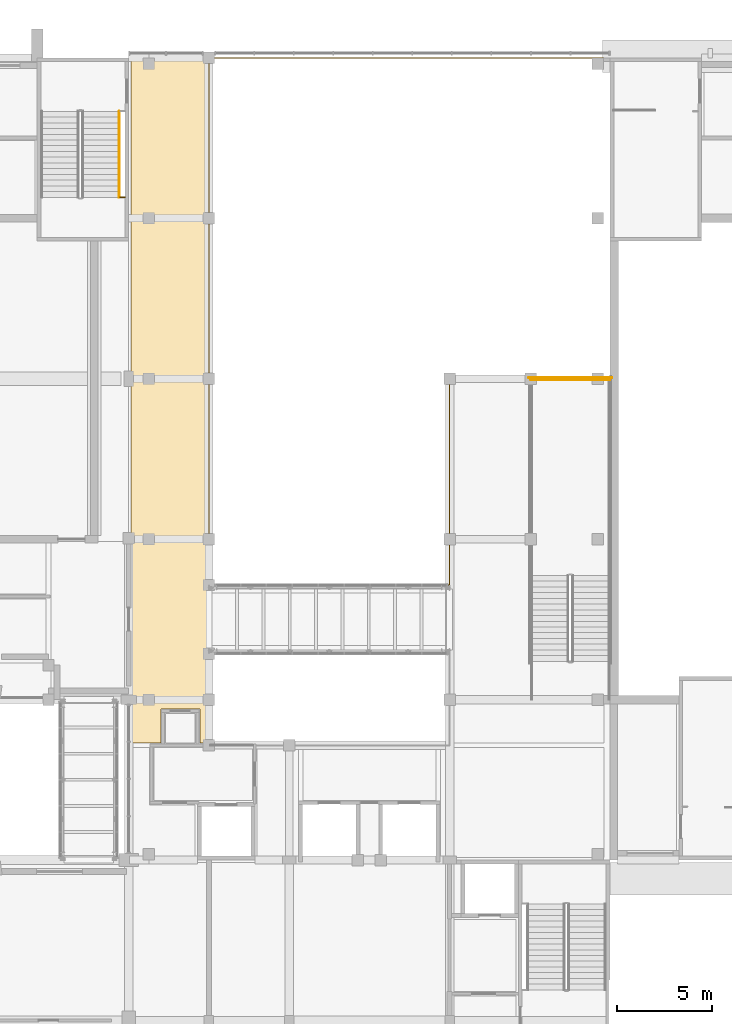
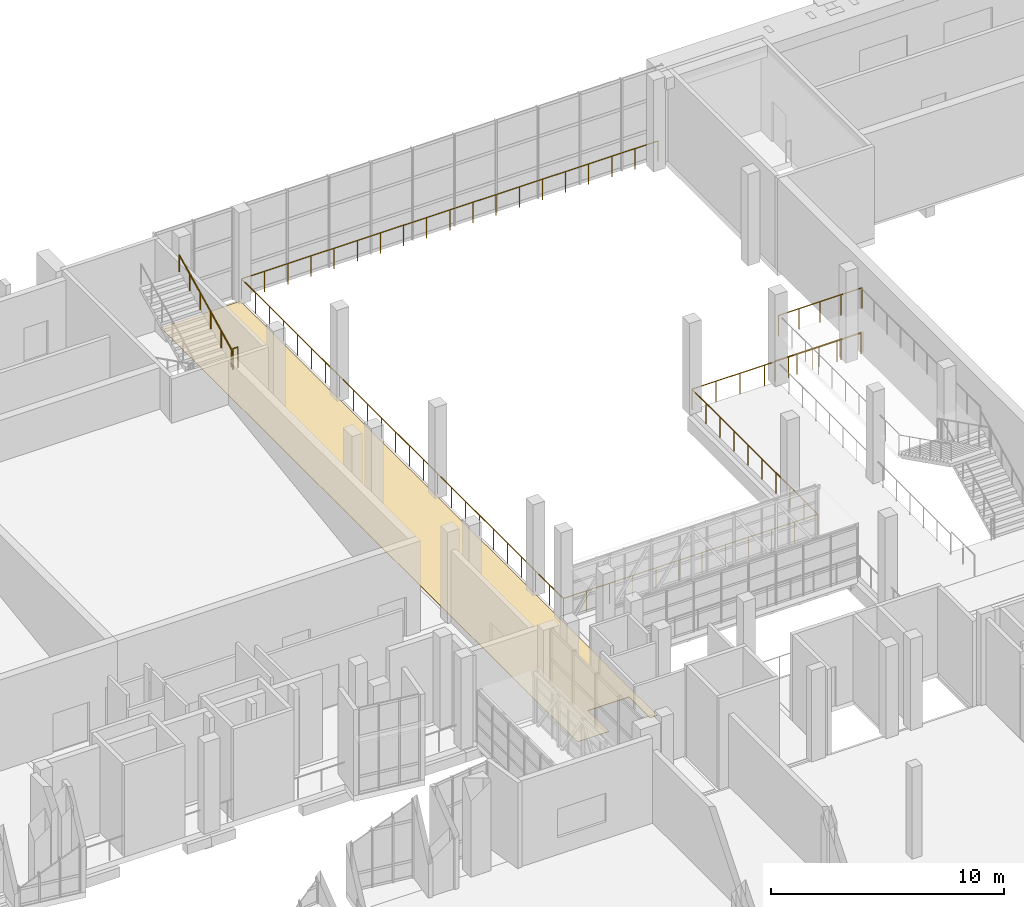
# One storey, part 75 of 86: 5 railings, 1 covering.
"""IFC4 building model written with IfcOpenShell, lengths in metres."""

from ifc_helpers import new_model, si_unit, direction, frame, origin, origin_2d, place, context, subcontext, project, spatial, polyline, circle, outline, extrude, material, layer, layer_set, type_object, element, save


model = new_model("IFC4")

# Units and contexts
model_context = context("Model", 3, precision=1e-05, world=origin(), true_north=direction((0.0, 1.0)))
body_context = subcontext(model_context, "Body", "Model", "MODEL_VIEW")
ifc_project = project(units=[si_unit("LENGTHUNIT", "METRE"), si_unit("AREAUNIT", "SQUARE_METRE"), si_unit("VOLUMEUNIT", "CUBIC_METRE"), si_unit("PLANEANGLEUNIT", "RADIAN"), si_unit("MASSUNIT", "GRAM", prefix="KILO")], contexts=[model_context])

# Site, building, storey
site_placement = place(None, origin())
site = spatial("IfcSite", under=ifc_project, at=site_placement, CompositionType="ELEMENT")
building_placement = place(site_placement, origin())
building = spatial("IfcBuilding", under=site, at=building_placement, Name="Kiln Court Media Centre", CompositionType="ELEMENT")
storey_placement = place(building_placement, frame((0.0, 0.0, 10.199951171875)))
storey = spatial("IfcBuildingStorey", under=building, at=storey_placement, Name="L02", CompositionType="ELEMENT", Elevation=10.199951171875)

# Covering
ifc_material_1 = material(Name="Terrazzo")
ifc_layer = layer(ifc_material_1, 0.02490234375)
ifc_layer_set = layer_set([ifc_layer], Name="Polished terrazzo floor finish 25")
covering_type = type_object("IfcCoveringType", Name="Polished terrazzo floor finish 25", PredefinedType="FLOORING", material=ifc_layer_set)
covering_placement = place(storey_placement, origin())
element("IfcCovering", 1, at=covering_placement, inside=storey, type_object=covering_type, Name="West Gallery floor finish", PredefinedType="FLOORING", context=body_context, shape_type="SweptSolid", body=[
    extrude(outline(polyline([(33.719970703125, 31.320068359375), (35.280029296875, 31.320068359375), (35.280029296875, 33.1201171875), (37.320068359375, 33.1201171875), (37.320068359375, 31.320068359375), (37.679931640625, 31.320068359375), (37.679931640625, 67.080078125), (33.719970703125, 67.080078125), (33.719970703125, 31.320068359375)])), origin(), (0.0, 0.0, 1.0), 0.025146484375),
])

# Railings
ifc_material_2 = material(Name="Steel S275", Category="steel")
railing_type_1 = type_object("IfcRailingType", Name="Steel S275 balustrade guard 1100", PredefinedType="GUARDRAIL", material=ifc_material_2)
railing_1_placement = place(storey_placement, frame((58.429931640625, 67.199951171875, 0.0)))
element("IfcRailing", 2, at=railing_1_placement, inside=storey, type_object=railing_type_1, Name="L02 void edge guard", PredefinedType="GUARDRAIL", context=body_context, shape_type="SweptSolid", body=[
    extrude(circle(Radius=0.02392578125, at=origin_2d()), frame((0.0, 0.0, 1.076171875), z_axis=(-1.0, 0.0, 0.0), x_axis=(0.0, -1.0, 0.0)), (0.0, 0.0, 1.0), 20.6298828125),
    extrude(circle(Radius=0.02392578125, at=origin_2d()), frame((-20.6298828125, 0.0, 1.076171875), z_axis=(0.0, -1.0, 0.0), x_axis=(1.0, 0.0, 0.0)), (0.0, 0.0, 1.0), 27.599853515625),
    extrude(circle(Radius=0.02392578125, at=origin_2d()), frame((-20.6298828125, -27.599853515625, 1.076171875), z_axis=(1.0, 0.0, 0.0), x_axis=(0.0, 1.0, 0.0)), (0.0, 0.0, 1.0), 12.599853515625),
    extrude(circle(Radius=0.02392578125, at=origin_2d()), frame((-8.030029296875, -27.599853515625, 1.076171875), z_axis=(0.0, 1.0, 0.0), x_axis=(-1.0, 0.0, 0.0)), (0.0, 0.0, 1.0), 10.7998046875),
    extrude(circle(Radius=0.02392578125, at=origin_2d()), frame((-8.030029296875, -16.800048828125, 1.076171875), z_axis=(1.0, 0.0, 0.0), x_axis=(0.0, 1.0, 0.0)), (0.0, 0.0, 1.0), 8.3798828125),
    extrude(circle(Radius=0.02099609375, at=origin_2d()), origin(), (0.0, 0.0, 1.0), 1.052001953125),
    extrude(circle(Radius=0.02099609375, at=origin_2d()), frame((-1.14599609375, 0.0, 0.0)), (0.0, 0.0, 1.0), 1.052001953125),
    extrude(circle(Radius=0.02099609375, at=origin_2d()), frame((-2.292236328125, 0.0, 0.0)), (0.0, 0.0, 1.0), 1.052001953125),
    extrude(circle(Radius=0.02099609375, at=origin_2d()), frame((-3.438232421875, 0.0, 0.0)), (0.0, 0.0, 1.0), 1.052001953125),
    extrude(circle(Radius=0.02099609375, at=origin_2d()), frame((-4.58447265625, 0.0, 0.0)), (0.0, 0.0, 1.0), 1.052001953125),
    extrude(circle(Radius=0.02099609375, at=origin_2d()), frame((-5.73046875, 0.0, 0.0)), (0.0, 0.0, 1.0), 1.052001953125),
    extrude(circle(Radius=0.02099609375, at=origin_2d()), frame((-6.876708984375, 0.0, 0.0)), (0.0, 0.0, 1.0), 1.052001953125),
    extrude(circle(Radius=0.02099609375, at=origin_2d()), frame((-8.022705078125, 0.0, 0.0)), (0.0, 0.0, 1.0), 1.052001953125),
    extrude(circle(Radius=0.02099609375, at=origin_2d()), frame((-9.1689453125, 0.0, 0.0)), (0.0, 0.0, 1.0), 1.052001953125),
    extrude(circle(Radius=0.02099609375, at=origin_2d()), frame((-10.31494140625, 0.0, 0.0)), (0.0, 0.0, 1.0), 1.052001953125),
    extrude(circle(Radius=0.02099609375, at=origin_2d()), frame((-11.4609375, 0.0, 0.0)), (0.0, 0.0, 1.0), 1.052001953125),
    extrude(circle(Radius=0.02099609375, at=origin_2d()), frame((-12.607177734375, 0.0, 0.0)), (0.0, 0.0, 1.0), 1.052001953125),
    extrude(circle(Radius=0.02099609375, at=origin_2d()), frame((-13.753173828125, 0.0, 0.0)), (0.0, 0.0, 1.0), 1.052001953125),
    extrude(circle(Radius=0.02099609375, at=origin_2d()), frame((-14.8994140625, 0.0, 0.0)), (0.0, 0.0, 1.0), 1.052001953125),
    extrude(circle(Radius=0.02099609375, at=origin_2d()), frame((-16.04541015625, 0.0, 0.0)), (0.0, 0.0, 1.0), 1.052001953125),
    extrude(circle(Radius=0.02099609375, at=origin_2d()), frame((-17.191650390625, 0.0, 0.0)), (0.0, 0.0, 1.0), 1.052001953125),
    extrude(circle(Radius=0.02099609375, at=origin_2d()), frame((-18.337646484375, 0.0, 0.0)), (0.0, 0.0, 1.0), 1.052001953125),
    extrude(circle(Radius=0.02099609375, at=origin_2d()), frame((-19.48388671875, 0.0, 0.0)), (0.0, 0.0, 1.0), 1.052001953125),
    extrude(circle(Radius=0.02099609375, at=origin_2d()), frame((-20.6298828125, 0.0, 0.0)), (0.0, 0.0, 1.0), 1.052001953125),
    extrude(circle(Radius=0.02099609375, at=origin_2d()), frame((-20.6298828125, -1.199951171875, 0.0)), (0.0, 0.0, 1.0), 1.052001953125),
    extrude(circle(Radius=0.02099609375, at=origin_2d()), frame((-20.6298828125, -2.39990234375, 0.0)), (0.0, 0.0, 1.0), 1.052001953125),
    extrude(circle(Radius=0.02099609375, at=origin_2d()), frame((-20.6298828125, -3.60009765625, 0.0)), (0.0, 0.0, 1.0), 1.052001953125),
    extrude(circle(Radius=0.02099609375, at=origin_2d()), frame((-20.6298828125, -4.800048828125, 0.0)), (0.0, 0.0, 1.0), 1.052001953125),
    extrude(circle(Radius=0.02099609375, at=origin_2d()), frame((-20.6298828125, -6.0, 0.0)), (0.0, 0.0, 1.0), 1.052001953125),
    extrude(circle(Radius=0.02099609375, at=origin_2d()), frame((-20.6298828125, -7.199951171875, 0.0)), (0.0, 0.0, 1.0), 1.052001953125),
    extrude(circle(Radius=0.02099609375, at=origin_2d()), frame((-20.6298828125, -8.39990234375, 0.0)), (0.0, 0.0, 1.0), 1.052001953125),
    extrude(circle(Radius=0.02099609375, at=origin_2d()), frame((-20.6298828125, -9.599853515625, 0.0)), (0.0, 0.0, 1.0), 1.052001953125),
    extrude(circle(Radius=0.02099609375, at=origin_2d()), frame((-20.6298828125, -10.800048828125, 0.0)), (0.0, 0.0, 1.0), 1.052001953125),
    extrude(circle(Radius=0.02099609375, at=origin_2d()), frame((-20.6298828125, -12.0, 0.0)), (0.0, 0.0, 1.0), 1.052001953125),
    extrude(circle(Radius=0.02099609375, at=origin_2d()), frame((-20.6298828125, -13.199951171875, 0.0)), (0.0, 0.0, 1.0), 1.052001953125),
    extrude(circle(Radius=0.02099609375, at=origin_2d()), frame((-20.6298828125, -14.39990234375, 0.0)), (0.0, 0.0, 1.0), 1.052001953125),
    extrude(circle(Radius=0.02099609375, at=origin_2d()), frame((-20.6298828125, -15.599853515625, 0.0)), (0.0, 0.0, 1.0), 1.052001953125),
    extrude(circle(Radius=0.02099609375, at=origin_2d()), frame((-20.6298828125, -16.7998046875, 0.0)), (0.0, 0.0, 1.0), 1.052001953125),
    extrude(circle(Radius=0.02099609375, at=origin_2d()), frame((-20.6298828125, -18.0, 0.0)), (0.0, 0.0, 1.0), 1.052001953125),
    extrude(circle(Radius=0.02099609375, at=origin_2d()), frame((-20.6298828125, -19.199951171875, 0.0)), (0.0, 0.0, 1.0), 1.052001953125),
    extrude(circle(Radius=0.02099609375, at=origin_2d()), frame((-20.6298828125, -20.39990234375, 0.0)), (0.0, 0.0, 1.0), 1.052001953125),
    extrude(circle(Radius=0.02099609375, at=origin_2d()), frame((-20.6298828125, -21.599853515625, 0.0)), (0.0, 0.0, 1.0), 1.052001953125),
    extrude(circle(Radius=0.02099609375, at=origin_2d()), frame((-20.6298828125, -22.7998046875, 0.0)), (0.0, 0.0, 1.0), 1.052001953125),
    extrude(circle(Radius=0.02099609375, at=origin_2d()), frame((-20.6298828125, -23.999755859375, 0.0)), (0.0, 0.0, 1.0), 1.052001953125),
    extrude(circle(Radius=0.02099609375, at=origin_2d()), frame((-20.6298828125, -25.199951171875, 0.0)), (0.0, 0.0, 1.0), 1.052001953125),
    extrude(circle(Radius=0.02099609375, at=origin_2d()), frame((-20.6298828125, -26.39990234375, 0.0)), (0.0, 0.0, 1.0), 1.052001953125),
    extrude(circle(Radius=0.02099609375, at=origin_2d()), frame((-20.6298828125, -27.599853515625, 0.0)), (0.0, 0.0, 1.0), 1.052001953125),
    extrude(circle(Radius=0.02099609375, at=origin_2d()), frame((-19.484375, -27.599853515625, 0.0)), (0.0, 0.0, 1.0), 1.052001953125),
    extrude(circle(Radius=0.02099609375, at=origin_2d()), frame((-18.339111328125, -27.599853515625, 0.0)), (0.0, 0.0, 1.0), 1.052001953125),
    extrude(circle(Radius=0.02099609375, at=origin_2d()), frame((-17.193603515625, -27.599853515625, 0.0)), (0.0, 0.0, 1.0), 1.052001953125),
    extrude(circle(Radius=0.02099609375, at=origin_2d()), frame((-16.048095703125, -27.599853515625, 0.0)), (0.0, 0.0, 1.0), 1.052001953125),
    extrude(circle(Radius=0.02099609375, at=origin_2d()), frame((-14.902587890625, -27.599853515625, 0.0)), (0.0, 0.0, 1.0), 1.052001953125),
    extrude(circle(Radius=0.02099609375, at=origin_2d()), frame((-13.75732421875, -27.599853515625, 0.0)), (0.0, 0.0, 1.0), 1.052001953125),
    extrude(circle(Radius=0.02099609375, at=origin_2d()), frame((-12.61181640625, -27.599853515625, 0.0)), (0.0, 0.0, 1.0), 1.052001953125),
    extrude(circle(Radius=0.02099609375, at=origin_2d()), frame((-11.46630859375, -27.599853515625, 0.0)), (0.0, 0.0, 1.0), 1.052001953125),
    extrude(circle(Radius=0.02099609375, at=origin_2d()), frame((-10.32080078125, -27.599853515625, 0.0)), (0.0, 0.0, 1.0), 1.052001953125),
    extrude(circle(Radius=0.02099609375, at=origin_2d()), frame((-9.175537109375, -27.599853515625, 0.0)), (0.0, 0.0, 1.0), 1.052001953125),
    extrude(circle(Radius=0.02099609375, at=origin_2d()), frame((-8.030029296875, -27.599853515625, 0.0)), (0.0, 0.0, 1.0), 1.052001953125),
    extrude(circle(Radius=0.02099609375, at=origin_2d()), frame((-8.030029296875, -26.39990234375, 0.0)), (0.0, 0.0, 1.0), 1.052001953125),
    extrude(circle(Radius=0.02099609375, at=origin_2d()), frame((-8.030029296875, -25.199951171875, 0.0)), (0.0, 0.0, 1.0), 1.052001953125),
    extrude(circle(Radius=0.02099609375, at=origin_2d()), frame((-8.030029296875, -24.0, 0.0)), (0.0, 0.0, 1.0), 1.052001953125),
    extrude(circle(Radius=0.02099609375, at=origin_2d()), frame((-8.030029296875, -22.800048828125, 0.0)), (0.0, 0.0, 1.0), 1.052001953125),
    extrude(circle(Radius=0.02099609375, at=origin_2d()), frame((-8.030029296875, -21.599853515625, 0.0)), (0.0, 0.0, 1.0), 1.052001953125),
    extrude(circle(Radius=0.02099609375, at=origin_2d()), frame((-8.030029296875, -20.39990234375, 0.0)), (0.0, 0.0, 1.0), 1.052001953125),
    extrude(circle(Radius=0.02099609375, at=origin_2d()), frame((-8.030029296875, -19.199951171875, 0.0)), (0.0, 0.0, 1.0), 1.052001953125),
    extrude(circle(Radius=0.02099609375, at=origin_2d()), frame((-8.030029296875, -18.0, 0.0)), (0.0, 0.0, 1.0), 1.052001953125),
    extrude(circle(Radius=0.02099609375, at=origin_2d()), frame((-8.030029296875, -16.800048828125, 0.0)), (0.0, 0.0, 1.0), 1.052001953125),
    extrude(circle(Radius=0.02099609375, at=origin_2d()), frame((-6.8330078125, -16.800048828125, 0.0)), (0.0, 0.0, 1.0), 1.052001953125),
    extrude(circle(Radius=0.02099609375, at=origin_2d()), frame((-5.6357421875, -16.800048828125, 0.0)), (0.0, 0.0, 1.0), 1.052001953125),
    extrude(circle(Radius=0.02099609375, at=origin_2d()), frame((-4.438720703125, -16.800048828125, 0.0)), (0.0, 0.0, 1.0), 1.052001953125),
    extrude(circle(Radius=0.02099609375, at=origin_2d()), frame((-3.241455078125, -16.800048828125, 0.0)), (0.0, 0.0, 1.0), 1.052001953125),
    extrude(circle(Radius=0.02099609375, at=origin_2d()), frame((-2.04443359375, -16.800048828125, 0.0)), (0.0, 0.0, 1.0), 1.052001953125),
    extrude(circle(Radius=0.02099609375, at=origin_2d()), frame((-0.84716796875, -16.800048828125, 0.0)), (0.0, 0.0, 1.0), 1.052001953125),
    extrude(circle(Radius=0.02099609375, at=origin_2d()), frame((0.349853515625, -16.800048828125, 0.0)), (0.0, 0.0, 1.0), 1.052001953125),
])
ifc_material_3 = material(Name="Steel S275", Category="steel")
railing_type_2 = type_object("IfcRailingType", Name="Steel S275 stair guard 1100", PredefinedType="GUARDRAIL", material=ifc_material_3)
railing_2_placement = place(storey_placement, frame((33.14990234375, 59.89990234375, 2.400146484375)))
element("IfcRailing", 3, at=railing_2_placement, inside=storey, type_object=railing_type_2, Name="ST-08 landing edge guard", PredefinedType="GUARDRAIL", context=body_context, shape_type="SweptSolid", body=[
    extrude(circle(Radius=0.02392578125, at=origin_2d()), frame((0.0, 0.0, 1.076171875), z_axis=(1.0, 0.0, 0.0), x_axis=(0.0, 1.0, 0.0)), (0.0, 0.0, 1.0), 0.25),
    extrude(circle(Radius=0.02099609375, at=origin_2d()), origin(), (0.0, 0.0, 1.0), 1.052001953125),
    extrude(circle(Radius=0.02099609375, at=origin_2d()), frame((0.25, 0.0, 0.0)), (0.0, 0.0, 1.0), 1.052001953125),
])
railing_3_placement = place(storey_placement, frame((58.800048828125, 50.35009765625, 2.400146484375)))
element("IfcRailing", 4, at=railing_3_placement, inside=storey, type_object=railing_type_2, Name="ST-F1 stair guard", PredefinedType="GUARDRAIL", context=body_context, shape_type="SweptSolid", body=[
    extrude(circle(Radius=0.02392578125, at=origin_2d()), frame((0.0, 0.0, 1.076171875), z_axis=(-1.0, 0.0, 0.0), x_axis=(0.0, -1.0, 0.0)), (0.0, 0.0, 1.0), 4.150146484375),
    extrude(circle(Radius=0.02099609375, at=origin_2d()), origin(), (0.0, 0.0, 1.0), 1.052001953125),
    extrude(circle(Radius=0.02099609375, at=origin_2d()), frame((-1.03759765625, 0.0, 0.0)), (0.0, 0.0, 1.0), 1.052001953125),
    extrude(circle(Radius=0.02099609375, at=origin_2d()), frame((-2.0751953125, 0.0, 0.0)), (0.0, 0.0, 1.0), 1.052001953125),
    extrude(circle(Radius=0.02099609375, at=origin_2d()), frame((-3.112548828125, 0.0, 0.0)), (0.0, 0.0, 1.0), 1.052001953125),
    extrude(circle(Radius=0.02099609375, at=origin_2d()), frame((-4.150146484375, 0.0, 0.0)), (0.0, 0.0, 1.0), 1.052001953125),
])
railing_4_placement = place(storey_placement, frame((58.89990234375, 50.449951171875, 0.0)))
element("IfcRailing", 5, at=railing_4_placement, inside=storey, type_object=railing_type_2, Name="ST-F1 stair guard", PredefinedType="GUARDRAIL", context=body_context, shape_type="SweptSolid", body=[
    extrude(circle(Radius=0.02392578125, at=origin_2d()), frame((0.0, 0.0, 1.076171875), z_axis=(-1.0, 0.0, 0.0), x_axis=(0.0, -1.0, 0.0)), (0.0, 0.0, 1.0), 4.349853515625),
    extrude(circle(Radius=0.02099609375, at=origin_2d()), origin(), (0.0, 0.0, 1.0), 1.052001953125),
    extrude(circle(Radius=0.02099609375, at=origin_2d()), frame((-1.08740234375, 0.0, 0.0)), (0.0, 0.0, 1.0), 1.052001953125),
    extrude(circle(Radius=0.02099609375, at=origin_2d()), frame((-2.1748046875, 0.0, 0.0)), (0.0, 0.0, 1.0), 1.052001953125),
    extrude(circle(Radius=0.02099609375, at=origin_2d()), frame((-3.262451171875, 0.0, 0.0)), (0.0, 0.0, 1.0), 1.052001953125),
    extrude(circle(Radius=0.02099609375, at=origin_2d()), frame((-4.349853515625, 0.0, 0.0)), (0.0, 0.0, 1.0), 1.052001953125),
])
ifc_material_4 = material(Name="Steel S275", Category="steel")
railing_type_3 = type_object("IfcRailingType", Name="Steel S275 stair handrail 900", PredefinedType="HANDRAIL", material=ifc_material_4)
railing_5_placement = place(storey_placement, frame((33.10009765625, 59.89990234375, 2.550048828125)))
element("IfcRailing", 6, at=railing_5_placement, inside=storey, type_object=railing_type_3, Name="ST-08 stair handrail", PredefinedType="HANDRAIL", context=body_context, shape_type="SweptSolid", body=[
    extrude(circle(Radius=0.02392578125, at=origin_2d()), frame((0.0, 0.0, 0.8759765625), z_axis=(0.0, 0.894427191, 0.4472135955), x_axis=(-1.0, 0.0, 0.0)), (0.0, 0.0, 1.0), 5.03125),
    extrude(circle(Radius=0.02099609375, at=origin_2d()), origin(), (0.0, 0.0, 1.0), 0.851806640625),
    extrude(circle(Radius=0.02099609375, at=origin_2d()), frame((0.0, 0.89990234375, 0.449951171875)), (0.0, 0.0, 1.0), 0.851806640625),
    extrude(circle(Radius=0.02099609375, at=origin_2d()), frame((0.0, 1.800048828125, 0.89990234375)), (0.0, 0.0, 1.0), 0.851806640625),
    extrude(circle(Radius=0.02099609375, at=origin_2d()), frame((0.0, 2.699951171875, 1.35009765625)), (0.0, 0.0, 1.0), 0.851806640625),
    extrude(circle(Radius=0.02099609375, at=origin_2d()), frame((0.0, 3.60009765625, 1.800048828125)), (0.0, 0.0, 1.0), 0.851806640625),
    extrude(circle(Radius=0.02099609375, at=origin_2d()), frame((0.0, 4.5, 2.25)), (0.0, 0.0, 1.0), 0.851806640625),
])

save(model, "model.ifc")
